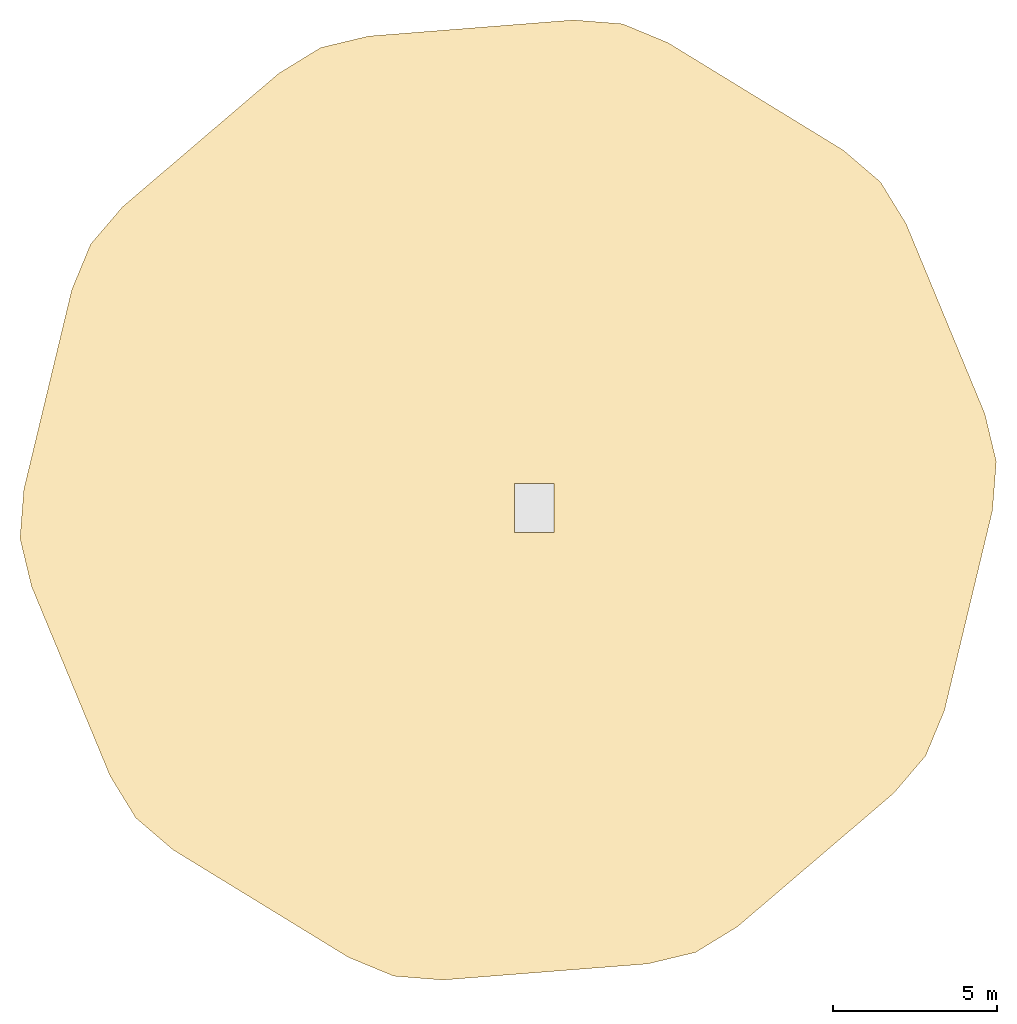
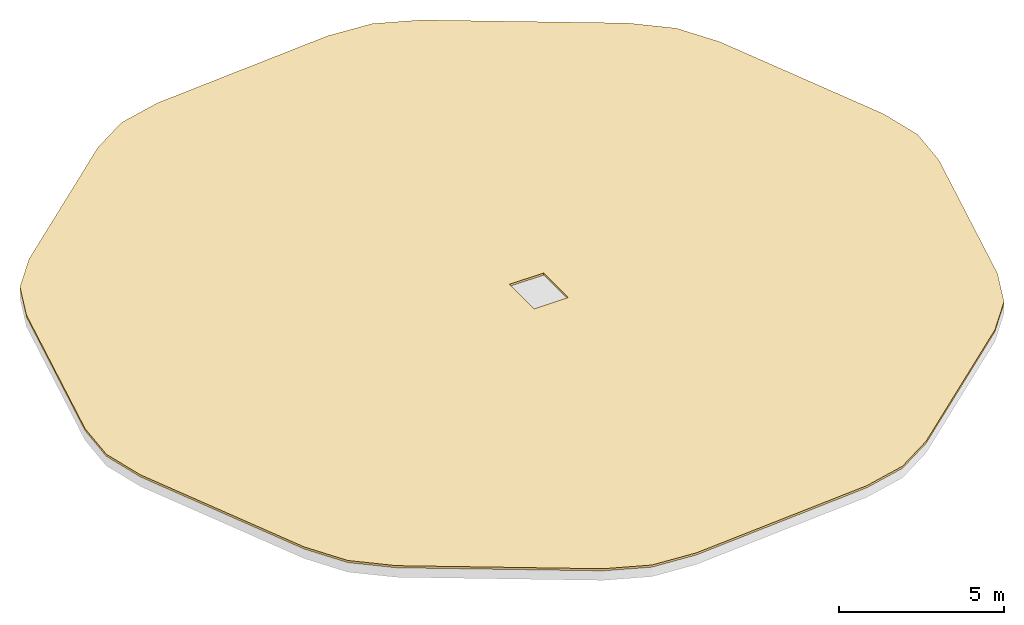
# One storey, part 2 of 2: 1 covering.
"""IFC4 building model written with IfcOpenShell, lengths in metres."""

import ifcopenshell
import ifcopenshell.guid

model = None  # the IFC model being written
_history = None  # IfcOwnerHistory: only IFC2X3 demands one
_inside = {}  # id of a spatial element -> (the spatial element, [elements in it])
_under = {}  # id of a project, library or spatial element -> (it, [spatial elements below it])
_declared = {}  # id of a project -> (the project, [libraries it declares])
_typed = {}  # id of a type object -> (the type object, [elements of that type])
_made_of = {}  # id of a material, layer set ... -> (it, [elements and type objects made of it])


def new_model(schema):
    """Start an empty IFC model of exactly this schema.

    Asked for "IFC4X3", IfcOpenShell would pick the latest addendum, in which some entities
    have other attributes; the version numbers below select the first issue.
    IFC2X3 requires an IfcOwnerHistory on every rooted entity: one is made here for all.
    """
    global model, _history
    if schema == "IFC4X3":
        model = ifcopenshell.file(schema_version=(4, 3, 0, 0))
    else:
        model = ifcopenshell.file(schema=schema)
    _inside.clear()
    _under.clear()
    _declared.clear()
    _typed.clear()
    _made_of.clear()
    _history = None
    if model.schema == "IFC2X3":
        org = make("IfcOrganization", Name="unknown")
        user = make(
            "IfcPersonAndOrganization",
            ThePerson=make("IfcPerson", FamilyName="unknown"),
            TheOrganization=org,
        )
        app = make(
            "IfcApplication",
            ApplicationDeveloper=org,
            Version="unknown",
            ApplicationFullName="unknown",
            ApplicationIdentifier="unknown",
        )
        _history = make(
            "IfcOwnerHistory",
            OwningUser=user,
            OwningApplication=app,
            ChangeAction="ADDED",
            CreationDate=0,
        )
    return model


def make(cls, **values):
    """One entity of the class cls with the attributes given. An attribute that is None is left unset."""
    return model.create_entity(
        cls, **{name: value for name, value in values.items() if value is not None}
    )


def rooted(cls, **values):
    """An entity with a GlobalId (a new one), such as an element, a storey or a relation."""
    return make(cls, GlobalId=ifcopenshell.guid.new(), OwnerHistory=_history, **values)


def si_unit(unit_type, name, prefix=None):
    """IfcSIUnit, for example si_unit("LENGTHUNIT", "METRE", prefix="MILLI")."""
    return make("IfcSIUnit", UnitType=unit_type, Prefix=prefix, Name=name)


def assignment(units):
    """IfcUnitAssignment: the units of a project."""
    return None if units is None else make("IfcUnitAssignment", Units=units)


def point(xyz):
    """IfcCartesianPoint."""
    return None if xyz is None else make("IfcCartesianPoint", Coordinates=xyz)


def direction(xyz):
    """IfcDirection."""
    return None if xyz is None else make("IfcDirection", DirectionRatios=xyz)


def frame(location, z_axis=None, x_axis=None):
    """IfcAxis2Placement3D, a coordinate frame: its origin and axes. An axis left out is left unset."""
    return make(
        "IfcAxis2Placement3D",
        Location=point(location),
        Axis=direction(z_axis),
        RefDirection=direction(x_axis),
    )


def origin():
    """The frame at (0, 0, 0) with its axes left unset."""
    return frame((0.0, 0.0, 0.0))


def place(relative_to, where):
    """IfcLocalPlacement: puts the frame where relative to a parent placement (None: the world)."""
    return make(
        "IfcLocalPlacement", PlacementRelTo=relative_to, RelativePlacement=where
    )


def context(
    kind, dimensions, precision=None, world=None, true_north=None, identifier=None
):
    """IfcGeometricRepresentationContext, for example the 3D "Model" context."""
    return make(
        "IfcGeometricRepresentationContext",
        ContextIdentifier=identifier,
        ContextType=kind,
        CoordinateSpaceDimension=dimensions,
        Precision=precision,
        WorldCoordinateSystem=world,
        TrueNorth=true_north,
    )


def subcontext(parent, identifier, kind, view, scale=None):
    """IfcGeometricRepresentationSubContext, for example "Body" below "Model"."""
    return make(
        "IfcGeometricRepresentationSubContext",
        ContextIdentifier=identifier,
        ContextType=kind,
        ParentContext=parent,
        TargetScale=scale,
        TargetView=view,
    )


def project(units=None, contexts=None):
    """IfcProject with its units and contexts."""
    return rooted(
        "IfcProject",
        Name="project",
        RepresentationContexts=contexts,
        UnitsInContext=assignment(units),
    )


def spatial(cls, under=None, at=None, **own):
    """A site, building, storey or space (cls), placed at a placement, below another one or the project."""
    s = rooted(cls, ObjectPlacement=at, **own)
    if under is not None:
        _under.setdefault(under.id(), (under, []))[1].append(s)
    return s


def polyline(points):
    """IfcPolyline through the points."""
    return make("IfcPolyline", Points=[point(p) for p in points])


def outline(outer, holes=None, kind="AREA"):
    """IfcArbitraryClosedProfileDef: a profile drawn as a closed curve; with holes, ...WithVoids."""
    if holes is None:
        return make("IfcArbitraryClosedProfileDef", ProfileType=kind, OuterCurve=outer)
    return make(
        "IfcArbitraryProfileDefWithVoids",
        ProfileType=kind,
        OuterCurve=outer,
        InnerCurves=holes,
    )


def extrude(swept, where, along, depth):
    """IfcExtrudedAreaSolid: the profile swept, set in the frame where, extruded along a direction by depth."""
    return make(
        "IfcExtrudedAreaSolid",
        SweptArea=swept,
        Position=where,
        ExtrudedDirection=direction(along),
        Depth=depth,
    )


def shape(context_of_items, identifier, shape_type, items):
    """IfcShapeRepresentation: the items that make up one representation, for example the "Body"."""
    return make(
        "IfcShapeRepresentation",
        ContextOfItems=context_of_items,
        RepresentationIdentifier=identifier,
        RepresentationType=shape_type,
        Items=items,
    )


def material(Name=None, Category=None):
    """IfcMaterial."""
    return make("IfcMaterial", Name=Name, Category=Category)


def layer(
    of_material, thickness, ventilated=None, Name=None, Category=None, Priority=None
):
    """IfcMaterialLayer: one layer of a wall or slab, of a material (None: an air gap)."""
    return make(
        "IfcMaterialLayer",
        Material=of_material,
        LayerThickness=thickness,
        IsVentilated=ventilated,
        Name=Name,
        Category=Category,
        Priority=Priority,
    )


def layer_set(layers, Name=None):
    """IfcMaterialLayerSet."""
    return make("IfcMaterialLayerSet", MaterialLayers=layers, LayerSetName=Name)


def made_of(thing, what):
    """Note that an element or type object is made of a material, layer set ...; save() writes the relation."""
    if what is not None:
        _made_of.setdefault(what.id(), (what, []))[1].append(thing)
    return thing


def type_object(cls, material=None, **own):
    """A type object (cls), such as IfcWallType, which elements share."""
    return made_of(rooted(cls, **own), material)


def element(
    cls,
    number,
    at=None,
    inside=None,
    cuts=None,
    type_object=None,
    material=None,
    context=None,
    identifier="Body",
    shape_type=None,
    held_by="IfcProductDefinitionShape",
    body=None,
    shapes=None,
    **own,
):
    """One element of the class cls, such as IfcWall. Its Tag is "e" and its number.

    at: its placement. inside: the storey or other place that contains it. cuts: it is an
    opening in that element (IfcRelVoidsElement). A single representation is given by context,
    identifier, shape_type and body (its items); several are given by shapes. held_by: the class
    of the entity that holds the representations. save() writes the other relations.
    """
    e = rooted(cls, Tag="e%d" % number, ObjectPlacement=at, **own)
    if body is not None:
        shapes = [shape(context, identifier, shape_type, body)]
    if shapes is not None:
        e.Representation = make(held_by, Representations=shapes)
    if inside is not None:
        _inside.setdefault(inside.id(), (inside, []))[1].append(e)
    if cuts is not None:
        rooted(
            "IfcRelVoidsElement", RelatingBuildingElement=cuts, RelatedOpeningElement=e
        )
    if type_object is not None:
        _typed.setdefault(type_object.id(), (type_object, []))[1].append(e)
    return made_of(e, material)


def aggregate(whole, parts):
    """IfcRelAggregates: a whole, such as a stair, and the parts it consists of."""
    return rooted("IfcRelAggregates", RelatingObject=whole, RelatedObjects=parts)


def save(model, path):
    """Write the relations noted so far, then the file.

    IfcRelAggregates (storeys below a building ...), IfcRelContainedInSpatialStructure (elements
    in a storey), IfcRelDefinesByType, IfcRelAssociatesMaterial and IfcRelDeclares: one each for
    every whole, place, type object, material and project.
    """
    for whole, parts in _under.values():
        aggregate(whole, parts)
    for where, things in _inside.values():
        rooted(
            "IfcRelContainedInSpatialStructure",
            RelatedElements=things,
            RelatingStructure=where,
        )
    for kind, things in _typed.values():
        rooted("IfcRelDefinesByType", RelatedObjects=things, RelatingType=kind)
    for what, things in _made_of.values():
        rooted("IfcRelAssociatesMaterial", RelatedObjects=things, RelatingMaterial=what)
    for by, libraries in _declared.values():
        rooted("IfcRelDeclares", RelatingContext=by, RelatedDefinitions=libraries)
    model.write(path)


model = new_model("IFC4")

# Units and contexts
model_context = context("Model", 3, precision=1e-05, world=origin(), true_north=direction((0.0, 1.0)))
body_context = subcontext(model_context, "Body", "Model", "MODEL_VIEW")
ifc_project = project(units=[si_unit("LENGTHUNIT", "METRE"), si_unit("AREAUNIT", "SQUARE_METRE"), si_unit("VOLUMEUNIT", "CUBIC_METRE"), si_unit("PLANEANGLEUNIT", "RADIAN"), si_unit("MASSUNIT", "GRAM", prefix="KILO")], contexts=[model_context])

# Site, building, storey
site_placement = place(None, origin())
site = spatial("IfcSite", under=ifc_project, at=site_placement, CompositionType="ELEMENT")
building_placement = place(site_placement, origin())
building = spatial("IfcBuilding", under=site, at=building_placement, Name="Soratama Intermodal Tower", CompositionType="ELEMENT")
storey_placement = place(building_placement, frame((0.0, 0.0, 322.10009765625)))
storey = spatial("IfcBuildingStorey", under=building, at=storey_placement, Name="ROOF", CompositionType="ELEMENT", Elevation=322.10009765625)

# Covering
ifc_material = material(Name="Insulated TPO roofing membrane", Category="concrete")
ifc_layer = layer(ifc_material, 0.080078125)
ifc_layer_set = layer_set([ifc_layer], Name="Insulated TPO roofing membrane")
covering_type = type_object("IfcCoveringType", Name="CV-ROOF-MEMB", PredefinedType="ROOFING", material=ifc_layer_set)
covering_placement = place(storey_placement, frame((0.0, 0.0, 0.349853515625)))
element("IfcCovering", 1, at=covering_placement, inside=storey, type_object=covering_type, Name="ROOF Crown Roofing Membrane", PredefinedType="ROOFING", context=body_context, shape_type="SweptSolid", body=[
    extrude(outline(polyline([(46.478271484375, 38.965087890625), (45.0908203125, 39.539794921875), (43.593505859375, 39.65771484375), (37.337890625, 39.165283203125), (35.877685546875, 38.814697265625), (34.597412109375, 38.030029296875), (29.82568359375, 33.954833984375), (28.8505859375, 32.81298828125), (28.27587890625, 31.425537109375), (26.810791015625, 25.323974609375), (26.693115234375, 23.826904296875), (27.043701171875, 22.366455078125), (29.445068359375, 16.5693359375), (30.229736328125, 15.288818359375), (31.37158203125, 14.3134765625), (36.7216796875, 11.034912109375), (38.109375, 10.460205078125), (39.6064453125, 10.34228515625), (45.862060546875, 10.834716796875), (47.322265625, 11.185302734375), (48.602783203125, 11.969970703125), (53.374267578125, 16.045166015625), (54.349609375, 17.18701171875), (54.92431640625, 18.574462890625), (56.38916015625, 24.676025390625), (56.5068359375, 26.173095703125), (56.15625, 27.633544921875), (53.7548828125, 33.4306640625), (52.97021484375, 34.711181640625), (51.828369140625, 35.6865234375), (46.478271484375, 38.965087890625)]), holes=[polyline([(41.800048828125, 24.0), (43.0, 24.0), (43.0, 25.5), (41.800048828125, 25.5), (41.800048828125, 24.0)])]), origin(), (0.0, 0.0, 1.0), 0.080078125),
])

save(model, "model.ifc")
